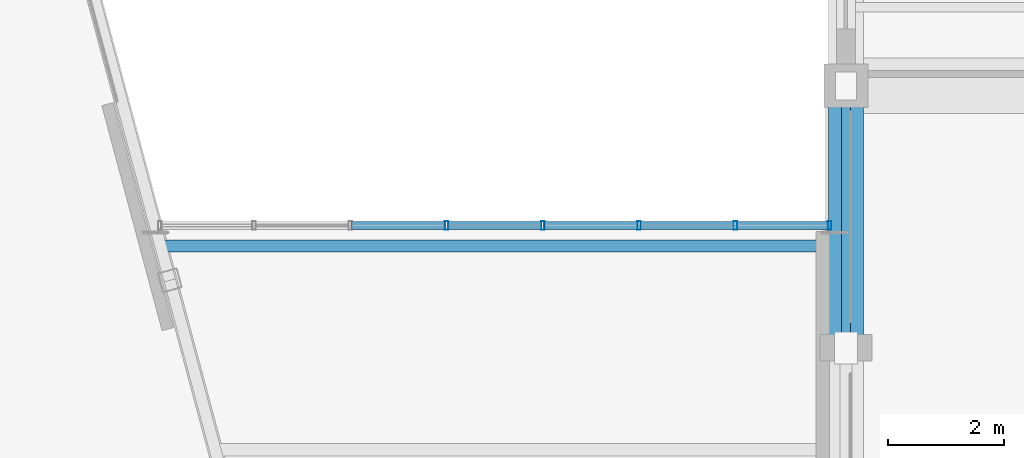
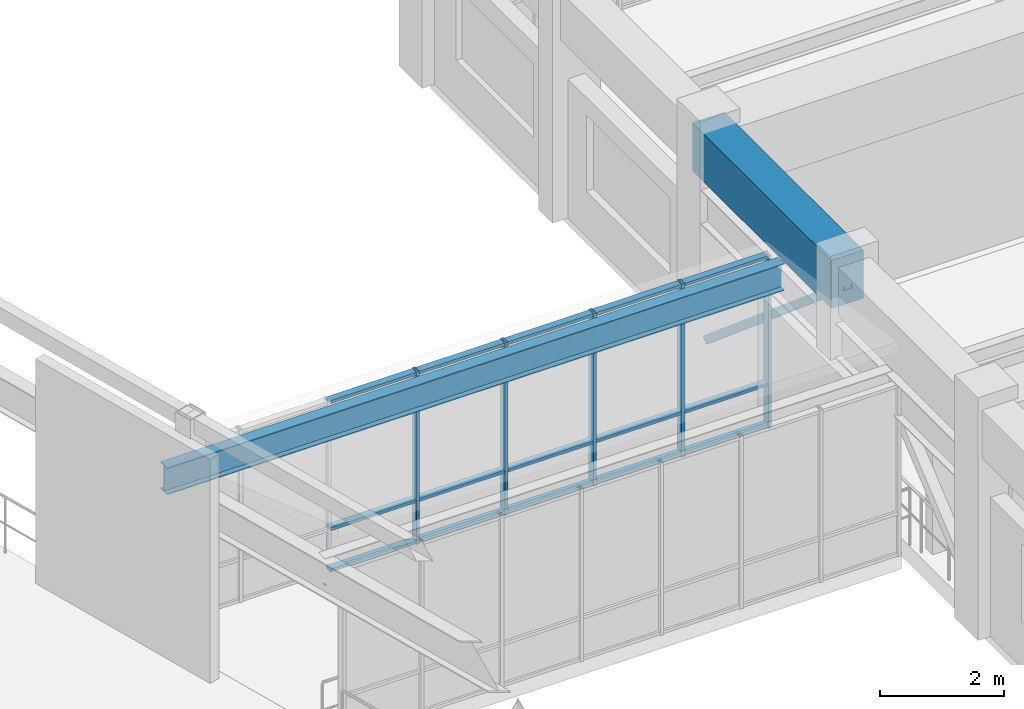
# One storey, part 50 of 99: 21 members, 2 beams, 1 element without a shape of its own.
"""IFC4 building model written with IfcOpenShell, lengths in metres."""

from ifc_helpers import new_model, si_unit, direction, frame, origin, origin_2d, place, context, subcontext, project, spatial, rectangle, hollow_rectangle, i_section, extrude, material, layer, layer_set, material_profile, profile_set, type_object, element, aggregate, save


model = new_model("IFC4")

# Units and contexts
model_context = context("Model", 3, precision=1e-05, world=origin(), true_north=direction((0.0, 1.0)))
body_context = subcontext(model_context, "Body", "Model", "MODEL_VIEW")
ifc_project = project(units=[si_unit("LENGTHUNIT", "METRE"), si_unit("AREAUNIT", "SQUARE_METRE"), si_unit("VOLUMEUNIT", "CUBIC_METRE"), si_unit("PLANEANGLEUNIT", "RADIAN"), si_unit("MASSUNIT", "GRAM", prefix="KILO")], contexts=[model_context])

# Site, building, storey
site_placement = place(None, origin())
site = spatial("IfcSite", under=ifc_project, at=site_placement, CompositionType="ELEMENT")
building_placement = place(site_placement, origin())
building = spatial("IfcBuilding", under=site, at=building_placement, Name="Ventoquebrada Cableway Terminal", CompositionType="ELEMENT")
storey_placement = place(building_placement, frame((0.0, 0.0, 9.60009765625)))
storey = spatial("IfcBuildingStorey", under=building, at=storey_placement, Name="L02", CompositionType="ELEMENT", Elevation=9.60009765625)

# Beams
ifc_material_1 = material(Name="Concrete C40/50", Category="concrete")
ifc_material_profile_1 = material_profile(ifc_material_1, rectangle(XDim=0.60009765625, YDim=0.949951171875, at=origin_2d()), Name="RC-BM-600X950")
ifc_profile_set_1 = profile_set([ifc_material_profile_1], Name="Concrete C40/50")
beam_type_1 = type_object("IfcBeamType", Name="BM-RC05", PredefinedType="BEAM", material=ifc_profile_set_1)
beam_1_placement = place(storey_placement, frame((95.0, 90.5, 4.054931640625), z_axis=(0.0, 1.0, 0.0), x_axis=(-1.0, 0.0, 0.0)))
element("IfcBeam", 1, at=beam_1_placement, inside=storey, type_object=beam_type_1, Name="Perimeter spandrel beam FBM-0683", PredefinedType="BEAM", context=body_context, shape_type="SweptSolid", body=[
    extrude(rectangle(XDim=0.60009765625, YDim=0.949951171875, at=origin_2d()), origin(), (0.0, 0.0, 1.0), 4.5),
])
ifc_material_2 = material(Name="Steel ASTM A992 Grade 50", Category="steel")
ifc_material_profile_2 = material_profile(ifc_material_2, i_section(OverallWidth=0.2099609375, OverallDepth=0.532958984375, WebThickness=0.01025390625, FlangeThickness=0.015625, at=origin_2d()), Name="W21X62")
ifc_profile_set_2 = profile_set([ifc_material_profile_2], Name="Steel ASTM A992 Grade 50")
beam_type_2 = type_object("IfcBeamType", Name="BM-ST01", PredefinedType="BEAM", material=ifc_profile_set_2)
beam_2_placement = place(storey_placement, frame((83.22900390625, 92.25, 3.183837890625), z_axis=(1.0, 0.0, 0.0), x_axis=(0.0, 1.0, 0.0)))
element("IfcBeam", 2, at=beam_2_placement, inside=storey, type_object=beam_type_2, Name="Link bridge roof girder LP-3 FBM-1120", PredefinedType="BEAM", context=body_context, shape_type="SweptSolid", body=[
    extrude(i_section(OverallWidth=0.2099609375, OverallDepth=0.532958984375, WebThickness=0.01025390625, FlangeThickness=0.015625, at=origin_2d()), origin(), (0.0, 0.0, 1.0), 11.5458984375),
])

# Member
ifc_material_3 = material(Name="Steel ASTM A500 Grade C", Category="steel")
ifc_material_profile_3 = material_profile(ifc_material_3, hollow_rectangle(XDim=0.14990234375, YDim=0.14990234375, WallThickness=0.008056640625, at=origin_2d()), Name="HSS150X150X8")
ifc_profile_set_3 = profile_set([ifc_material_profile_3], Name="Steel ASTM A500 Grade C")
member_type_1 = type_object("IfcMemberType", Name="BRC-FR02", PredefinedType="BRACE", material=ifc_profile_set_3)
member_1_placement = place(storey_placement, frame((95.0, 95.0, 0.14990234375), z_axis=(0.0, -0.764025829276, 0.645185657155), x_axis=(1.0, 0.0, 0.0)))
element("IfcMember", 3, at=member_1_placement, inside=storey, type_object=member_type_1, Name="Concentric lateral chevron brace BR-0540", PredefinedType="BRACE", context=body_context, shape_type="SweptSolid", body=[
    extrude(hollow_rectangle(XDim=0.14990234375, YDim=0.14990234375, WallThickness=0.008056640625, at=origin_2d()), origin(), (0.0, 0.0, 1.0), 5.889892578125),
])

# Curtain wall, members
ifc_material_4 = material(Name="Anodized thermally-broken aluminium", Category="aluminium")
ifc_layer = layer(ifc_material_4, 0.159912109375)
ifc_layer_set = layer_set([ifc_layer], Name="Anodized thermally-broken aluminium")
curtain_wall_type = type_object("IfcCurtainWallType", Name="CW-T55", PredefinedType="USERDEFINED", material=ifc_layer_set)
curtain_wall_placement = place(storey_placement, origin())
curtain_wall = element("IfcCurtainWall", 4, at=curtain_wall_placement, inside=storey, type_object=curtain_wall_type, Name="Unitised glazed curtain wall CW-174", ObjectType="UNITISED CURTAIN WALL", PredefinedType="USERDEFINED")
ifc_material_profile_4 = material_profile(ifc_material_4, hollow_rectangle(XDim=0.06005859375, YDim=0.14990234375, WallThickness=0.00390625, at=origin_2d()), Name="CW-MUL-60X150")
ifc_profile_set_4 = profile_set([ifc_material_profile_4], Name="Anodized thermally-broken aluminium")
member_type_2 = type_object("IfcMemberType", Name="CWM-03", PredefinedType="MULLION", material=ifc_profile_set_4)
member_2_placement = place(storey_placement, frame((94.719970703125, 92.60009765625, -0.008056640625), z_axis=(0.0, 0.0, 1.0), x_axis=(-1.0, 0.0, 0.0)))
member_2 = element("IfcMember", 5, at=member_2_placement, type_object=member_type_2, Name="Curtain wall mullion FML-0869", PredefinedType="MULLION", context=body_context, shape_type="SweptSolid", body=[
    extrude(hollow_rectangle(XDim=0.06005859375, YDim=0.14990234375, WallThickness=0.00390625, at=origin_2d()), origin(), (0.0, 0.0, 1.0), 3.412841796875),
])
member_3_placement = place(storey_placement, frame((93.10107421875, 92.60009765625, -0.008056640625), z_axis=(0.0, 0.0, 1.0), x_axis=(-1.0, 0.0, 0.0)))
member_3 = element("IfcMember", 6, at=member_3_placement, type_object=member_type_2, Name="Curtain wall mullion FML-0870", PredefinedType="MULLION", context=body_context, shape_type="SweptSolid", body=[
    extrude(hollow_rectangle(XDim=0.06005859375, YDim=0.14990234375, WallThickness=0.00390625, at=origin_2d()), origin(), (0.0, 0.0, 1.0), 3.412841796875),
])
member_4_placement = place(storey_placement, frame((91.447998046875, 92.60009765625, -0.008056640625), z_axis=(0.0, 0.0, 1.0), x_axis=(-1.0, 0.0, 0.0)))
member_4 = element("IfcMember", 7, at=member_4_placement, type_object=member_type_2, Name="Curtain wall mullion FML-0871", PredefinedType="MULLION", context=body_context, shape_type="SweptSolid", body=[
    extrude(hollow_rectangle(XDim=0.06005859375, YDim=0.14990234375, WallThickness=0.00390625, at=origin_2d()), origin(), (0.0, 0.0, 1.0), 3.412841796875),
])
member_5_placement = place(storey_placement, frame((89.7939453125, 92.60009765625, -0.008056640625), z_axis=(0.0, 0.0, 1.0), x_axis=(-1.0, 0.0, 0.0)))
member_5 = element("IfcMember", 8, at=member_5_placement, type_object=member_type_2, Name="Curtain wall mullion FML-0872", PredefinedType="MULLION", context=body_context, shape_type="SweptSolid", body=[
    extrude(hollow_rectangle(XDim=0.06005859375, YDim=0.14990234375, WallThickness=0.00390625, at=origin_2d()), origin(), (0.0, 0.0, 1.0), 3.412841796875),
])
member_6_placement = place(storey_placement, frame((88.14111328125, 92.60009765625, -0.008056640625), z_axis=(0.0, 0.0, 1.0), x_axis=(-1.0, 0.0, 0.0)))
member_6 = element("IfcMember", 9, at=member_6_placement, type_object=member_type_2, Name="Curtain wall mullion FML-0873", PredefinedType="MULLION", context=body_context, shape_type="SweptSolid", body=[
    extrude(hollow_rectangle(XDim=0.06005859375, YDim=0.14990234375, WallThickness=0.00390625, at=origin_2d()), origin(), (0.0, 0.0, 1.0), 3.412841796875),
])
ifc_material_profile_5 = material_profile(ifc_material_4, hollow_rectangle(XDim=0.06005859375, YDim=0.1298828125, WallThickness=0.00390625, at=origin_2d()), Name="CW-TRN-60X130")
ifc_profile_set_5 = profile_set([ifc_material_profile_5], Name="Anodized thermally-broken aluminium")
member_type_3 = type_object("IfcMemberType", Name="CWT-02", PredefinedType="USERDEFINED", material=ifc_profile_set_5)
member_7_placement = place(storey_placement, frame((94.695068359375, 92.60009765625, 0.034912109375), z_axis=(-1.0, 0.0, 0.0), x_axis=(0.0, 0.0, 1.0)))
member_7 = element("IfcMember", 10, at=member_7_placement, type_object=member_type_3, Name="Curtain wall transom FTR-2534", ObjectType="TRANSOM", PredefinedType="USERDEFINED", context=body_context, shape_type="SweptSolid", body=[
    extrude(hollow_rectangle(XDim=0.06005859375, YDim=0.1298828125, WallThickness=0.00390625, at=origin_2d()), origin(), (0.0, 0.0, 1.0), 1.569091796875),
])
member_8_placement = place(storey_placement, frame((94.695068359375, 92.60009765625, 0.849853515625), z_axis=(-1.0, 0.0, 0.0), x_axis=(0.0, 0.0, 1.0)))
member_8 = element("IfcMember", 11, at=member_8_placement, type_object=member_type_3, Name="Curtain wall transom FTR-2535", ObjectType="TRANSOM", PredefinedType="USERDEFINED", context=body_context, shape_type="SweptSolid", body=[
    extrude(hollow_rectangle(XDim=0.06005859375, YDim=0.1298828125, WallThickness=0.00390625, at=origin_2d()), origin(), (0.0, 0.0, 1.0), 1.569091796875),
])
member_9_placement = place(storey_placement, frame((94.695068359375, 92.60009765625, 3.364990234375), z_axis=(-1.0, 0.0, 0.0), x_axis=(0.0, 0.0, 1.0)))
member_9 = element("IfcMember", 12, at=member_9_placement, type_object=member_type_3, Name="Curtain wall transom FTR-2536", ObjectType="TRANSOM", PredefinedType="USERDEFINED", context=body_context, shape_type="SweptSolid", body=[
    extrude(hollow_rectangle(XDim=0.06005859375, YDim=0.1298828125, WallThickness=0.00390625, at=origin_2d()), origin(), (0.0, 0.0, 1.0), 1.569091796875),
])
member_10_placement = place(storey_placement, frame((93.075927734375, 92.60009765625, 0.034912109375), z_axis=(-1.0, 0.0, 0.0), x_axis=(0.0, 0.0, 1.0)))
member_10 = element("IfcMember", 13, at=member_10_placement, type_object=member_type_3, Name="Curtain wall transom FTR-2537", ObjectType="TRANSOM", PredefinedType="USERDEFINED", context=body_context, shape_type="SweptSolid", body=[
    extrude(hollow_rectangle(XDim=0.06005859375, YDim=0.1298828125, WallThickness=0.00390625, at=origin_2d()), origin(), (0.0, 0.0, 1.0), 1.60302734375),
])
member_11_placement = place(storey_placement, frame((93.075927734375, 92.60009765625, 0.849853515625), z_axis=(-1.0, 0.0, 0.0), x_axis=(0.0, 0.0, 1.0)))
member_11 = element("IfcMember", 14, at=member_11_placement, type_object=member_type_3, Name="Curtain wall transom FTR-2538", ObjectType="TRANSOM", PredefinedType="USERDEFINED", context=body_context, shape_type="SweptSolid", body=[
    extrude(hollow_rectangle(XDim=0.06005859375, YDim=0.1298828125, WallThickness=0.00390625, at=origin_2d()), origin(), (0.0, 0.0, 1.0), 1.60302734375),
])
member_12_placement = place(storey_placement, frame((93.075927734375, 92.60009765625, 3.364990234375), z_axis=(-1.0, 0.0, 0.0), x_axis=(0.0, 0.0, 1.0)))
member_12 = element("IfcMember", 15, at=member_12_placement, type_object=member_type_3, Name="Curtain wall transom FTR-2539", ObjectType="TRANSOM", PredefinedType="USERDEFINED", context=body_context, shape_type="SweptSolid", body=[
    extrude(hollow_rectangle(XDim=0.06005859375, YDim=0.1298828125, WallThickness=0.00390625, at=origin_2d()), origin(), (0.0, 0.0, 1.0), 1.60302734375),
])
member_13_placement = place(storey_placement, frame((91.423095703125, 92.60009765625, 0.034912109375), z_axis=(-1.0, 0.0, 0.0), x_axis=(0.0, 0.0, 1.0)))
member_13 = element("IfcMember", 16, at=member_13_placement, type_object=member_type_3, Name="Curtain wall transom FTR-2540", ObjectType="TRANSOM", PredefinedType="USERDEFINED", context=body_context, shape_type="SweptSolid", body=[
    extrude(hollow_rectangle(XDim=0.06005859375, YDim=0.1298828125, WallThickness=0.00390625, at=origin_2d()), origin(), (0.0, 0.0, 1.0), 1.60400390625),
])
member_14_placement = place(storey_placement, frame((91.423095703125, 92.60009765625, 0.849853515625), z_axis=(-1.0, 0.0, 0.0), x_axis=(0.0, 0.0, 1.0)))
member_14 = element("IfcMember", 17, at=member_14_placement, type_object=member_type_3, Name="Curtain wall transom FTR-2541", ObjectType="TRANSOM", PredefinedType="USERDEFINED", context=body_context, shape_type="SweptSolid", body=[
    extrude(hollow_rectangle(XDim=0.06005859375, YDim=0.1298828125, WallThickness=0.00390625, at=origin_2d()), origin(), (0.0, 0.0, 1.0), 1.60400390625),
])
member_15_placement = place(storey_placement, frame((91.423095703125, 92.60009765625, 3.364990234375), z_axis=(-1.0, 0.0, 0.0), x_axis=(0.0, 0.0, 1.0)))
member_15 = element("IfcMember", 18, at=member_15_placement, type_object=member_type_3, Name="Curtain wall transom FTR-2542", ObjectType="TRANSOM", PredefinedType="USERDEFINED", context=body_context, shape_type="SweptSolid", body=[
    extrude(hollow_rectangle(XDim=0.06005859375, YDim=0.1298828125, WallThickness=0.00390625, at=origin_2d()), origin(), (0.0, 0.0, 1.0), 1.60400390625),
])
member_16_placement = place(storey_placement, frame((89.76904296875, 92.60009765625, 0.034912109375), z_axis=(-1.0, 0.0, 0.0), x_axis=(0.0, 0.0, 1.0)))
member_16 = element("IfcMember", 19, at=member_16_placement, type_object=member_type_3, Name="Curtain wall transom FTR-2543", ObjectType="TRANSOM", PredefinedType="USERDEFINED", context=body_context, shape_type="SweptSolid", body=[
    extrude(hollow_rectangle(XDim=0.06005859375, YDim=0.1298828125, WallThickness=0.00390625, at=origin_2d()), origin(), (0.0, 0.0, 1.0), 1.60302734375),
])
member_17_placement = place(storey_placement, frame((89.76904296875, 92.60009765625, 0.849853515625), z_axis=(-1.0, 0.0, 0.0), x_axis=(0.0, 0.0, 1.0)))
member_17 = element("IfcMember", 20, at=member_17_placement, type_object=member_type_3, Name="Curtain wall transom FTR-2544", ObjectType="TRANSOM", PredefinedType="USERDEFINED", context=body_context, shape_type="SweptSolid", body=[
    extrude(hollow_rectangle(XDim=0.06005859375, YDim=0.1298828125, WallThickness=0.00390625, at=origin_2d()), origin(), (0.0, 0.0, 1.0), 1.60302734375),
])
member_18_placement = place(storey_placement, frame((89.76904296875, 92.60009765625, 3.364990234375), z_axis=(-1.0, 0.0, 0.0), x_axis=(0.0, 0.0, 1.0)))
member_18 = element("IfcMember", 21, at=member_18_placement, type_object=member_type_3, Name="Curtain wall transom FTR-2545", ObjectType="TRANSOM", PredefinedType="USERDEFINED", context=body_context, shape_type="SweptSolid", body=[
    extrude(hollow_rectangle(XDim=0.06005859375, YDim=0.1298828125, WallThickness=0.00390625, at=origin_2d()), origin(), (0.0, 0.0, 1.0), 1.60302734375),
])
member_19_placement = place(storey_placement, frame((88.115966796875, 92.60009765625, 0.034912109375), z_axis=(-1.0, 0.0, 0.0), x_axis=(0.0, 0.0, 1.0)))
member_19 = element("IfcMember", 22, at=member_19_placement, type_object=member_type_3, Name="Curtain wall transom FTR-2546", ObjectType="TRANSOM", PredefinedType="USERDEFINED", context=body_context, shape_type="SweptSolid", body=[
    extrude(hollow_rectangle(XDim=0.06005859375, YDim=0.1298828125, WallThickness=0.00390625, at=origin_2d()), origin(), (0.0, 0.0, 1.0), 1.60400390625),
])
member_20_placement = place(storey_placement, frame((88.115966796875, 92.60009765625, 0.849853515625), z_axis=(-1.0, 0.0, 0.0), x_axis=(0.0, 0.0, 1.0)))
member_20 = element("IfcMember", 23, at=member_20_placement, type_object=member_type_3, Name="Curtain wall transom FTR-2547", ObjectType="TRANSOM", PredefinedType="USERDEFINED", context=body_context, shape_type="SweptSolid", body=[
    extrude(hollow_rectangle(XDim=0.06005859375, YDim=0.1298828125, WallThickness=0.00390625, at=origin_2d()), origin(), (0.0, 0.0, 1.0), 1.60400390625),
])
member_21_placement = place(storey_placement, frame((88.115966796875, 92.60009765625, 3.364990234375), z_axis=(-1.0, 0.0, 0.0), x_axis=(0.0, 0.0, 1.0)))
member_21 = element("IfcMember", 24, at=member_21_placement, type_object=member_type_3, Name="Curtain wall transom FTR-2548", ObjectType="TRANSOM", PredefinedType="USERDEFINED", context=body_context, shape_type="SweptSolid", body=[
    extrude(hollow_rectangle(XDim=0.06005859375, YDim=0.1298828125, WallThickness=0.00390625, at=origin_2d()), origin(), (0.0, 0.0, 1.0), 1.60400390625),
])
aggregate(curtain_wall, [member_2, member_3, member_4, member_5, member_6, member_7, member_8, member_9, member_10, member_11, member_12, member_13, member_14, member_15, member_16, member_17, member_18, member_19, member_20, member_21])

save(model, "model.ifc")
